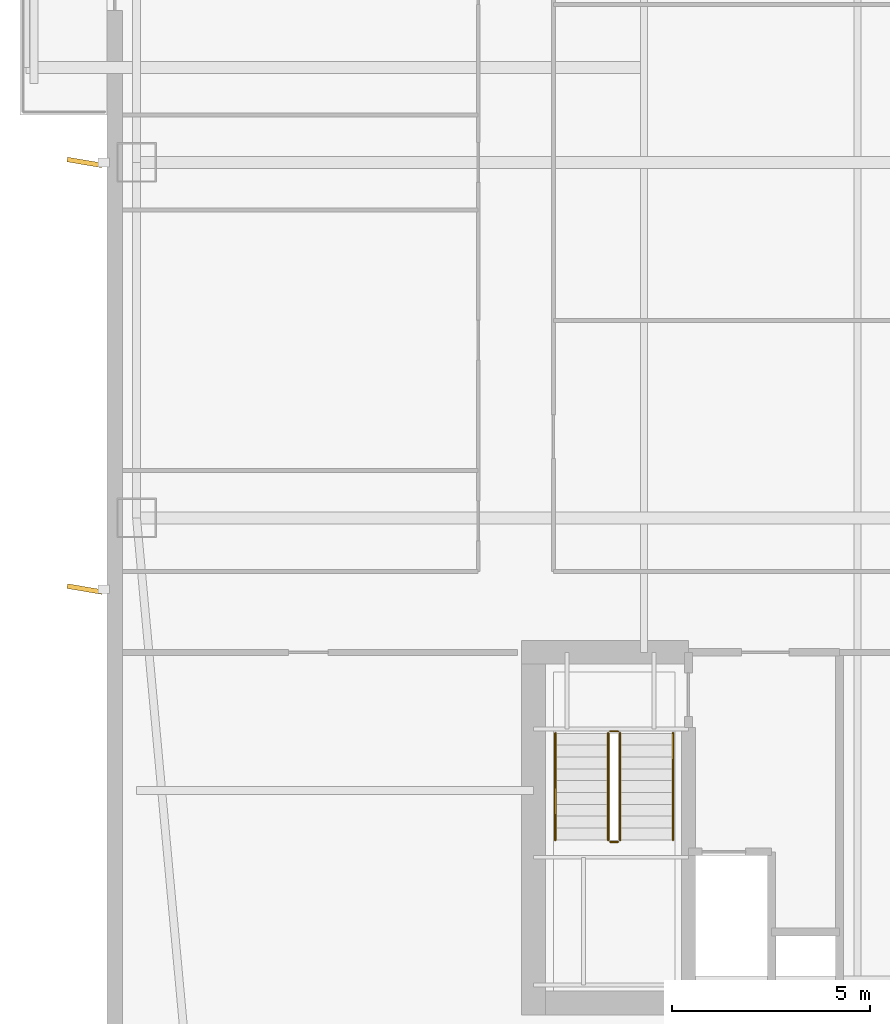
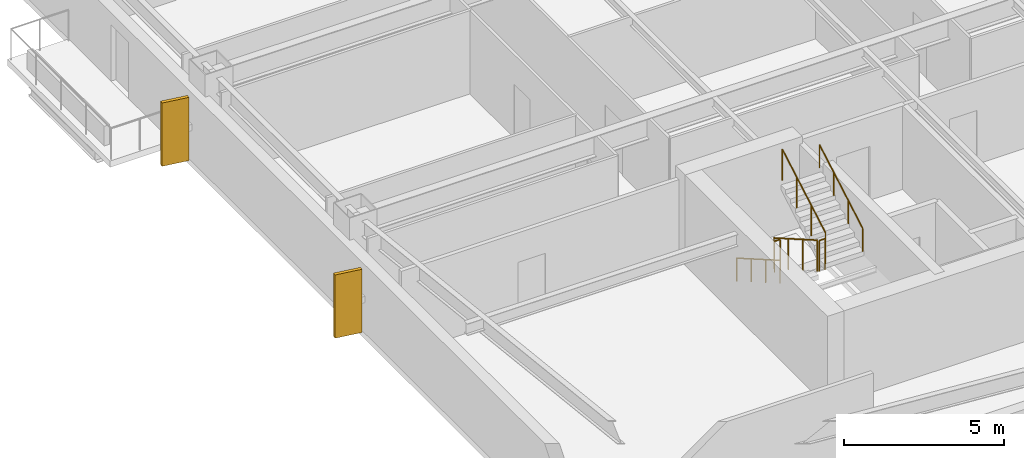
# One storey, part 13 of 17: 6 railings, 2 shading devices.
"""IFC4 building model written with IfcOpenShell, lengths in metres."""

from ifc_helpers import new_model, si_unit, direction, frame, origin, origin_2d, place, context, subcontext, project, spatial, rectangle, circle, extrude, material, layer, layer_set, type_object, element, save


model = new_model("IFC4")

# Units and contexts
model_context = context("Model", 3, precision=1e-05, world=origin(), true_north=direction((0.0, 1.0)))
body_context = subcontext(model_context, "Body", "Model", "MODEL_VIEW")
ifc_project = project(units=[si_unit("LENGTHUNIT", "METRE"), si_unit("AREAUNIT", "SQUARE_METRE"), si_unit("VOLUMEUNIT", "CUBIC_METRE"), si_unit("PLANEANGLEUNIT", "RADIAN"), si_unit("MASSUNIT", "GRAM", prefix="KILO")], contexts=[model_context])

# Site, building, storey
site_placement = place(None, origin())
site = spatial("IfcSite", under=ifc_project, at=site_placement, CompositionType="ELEMENT")
building_placement = place(site_placement, origin())
building = spatial("IfcBuilding", under=site, at=building_placement, Name="Qiaolan Cultural Towers", CompositionType="ELEMENT")
storey_placement = place(building_placement, frame((0.0, 0.0, 142.60009765625)))
storey = spatial("IfcBuildingStorey", under=building, at=storey_placement, Name="L37", CompositionType="ELEMENT", Elevation=142.60009765625)

# Railings
ifc_material_1 = material(Name="Galvanized Painted Steel Stair Guardrail", Category="steel")
railing_type_1 = type_object("IfcRailingType", Name="RL-STAIR-GRD", PredefinedType="GUARDRAIL", material=ifc_material_1)
railing_1_placement = place(storey_placement, frame((23.68994140625, 19.550048828125, 0.17236328125)))
element("IfcRailing", 1, at=railing_1_placement, inside=storey, type_object=railing_type_1, Name="L37 ST-W1 stair guard 1", PredefinedType="GUARDRAIL", context=body_context, shape_type="SweptSolid", body=[
    extrude(circle(Radius=0.02392578125, at=origin_2d()), frame((0.0, 0.0, 1.17578125), z_axis=(0.0, -0.866903762492, 0.498475542607), x_axis=(1.0, 0.0, 0.0)), (0.0, 0.0, 1.0), 3.114501953125),
    extrude(circle(Radius=0.02099609375, at=origin_2d()), origin(), (0.0, 0.0, 1.0), 1.15185546875),
    extrude(circle(Radius=0.02099609375, at=origin_2d()), frame((0.0, -0.89990234375, 0.517578125)), (0.0, 0.0, 1.0), 1.15185546875),
    extrude(circle(Radius=0.02099609375, at=origin_2d()), frame((0.0, -1.800048828125, 1.034912109375)), (0.0, 0.0, 1.0), 1.15185546875),
    extrude(circle(Radius=0.02099609375, at=origin_2d()), frame((0.0, -2.699951171875, 1.552490234375)), (0.0, 0.0, 1.0), 1.15185546875),
])
railing_2_placement = place(storey_placement, frame((23.739990234375, 16.800048828125, 1.724853515625)))
element("IfcRailing", 2, at=railing_2_placement, inside=storey, type_object=railing_type_1, Name="L37 ST-W1 stair guard 2", PredefinedType="GUARDRAIL", context=body_context, shape_type="SweptSolid", body=[
    extrude(circle(Radius=0.02392578125, at=origin_2d()), frame((0.0, 0.0, 1.17578125), z_axis=(1.0, 0.0, 0.0), x_axis=(0.0, 1.0, 0.0)), (0.0, 0.0, 1.0), 0.199951171875),
    extrude(circle(Radius=0.02099609375, at=origin_2d()), origin(), (0.0, 0.0, 1.0), 1.15185546875),
    extrude(circle(Radius=0.02099609375, at=origin_2d()), frame((0.199951171875, 0.0, 0.0)), (0.0, 0.0, 1.0), 1.15185546875),
])
railing_3_placement = place(storey_placement, frame((23.989990234375, 16.85009765625, 1.8974609375)))
element("IfcRailing", 3, at=railing_3_placement, inside=storey, type_object=railing_type_1, Name="L37 ST-W1 stair guard 3", PredefinedType="GUARDRAIL", context=body_context, shape_type="SweptSolid", body=[
    extrude(circle(Radius=0.02392578125, at=origin_2d()), frame((0.0, 0.0, 1.17578125), z_axis=(0.0, 0.866903762492, 0.498475542607), x_axis=(-1.0, 0.0, 0.0)), (0.0, 0.0, 1.0), 3.114501953125),
    extrude(circle(Radius=0.02099609375, at=origin_2d()), origin(), (0.0, 0.0, 1.0), 1.15185546875),
    extrude(circle(Radius=0.02099609375, at=origin_2d()), frame((0.0, 0.89990234375, 0.517578125)), (0.0, 0.0, 1.0), 1.15185546875),
    extrude(circle(Radius=0.02099609375, at=origin_2d()), frame((0.0, 1.800048828125, 1.034912109375)), (0.0, 0.0, 1.0), 1.15185546875),
    extrude(circle(Radius=0.02099609375, at=origin_2d()), frame((0.0, 2.699951171875, 1.552490234375)), (0.0, 0.0, 1.0), 1.15185546875),
])
railing_4_placement = place(storey_placement, frame((23.739990234375, 19.60009765625, 0.0)))
element("IfcRailing", 4, at=railing_4_placement, inside=storey, type_object=railing_type_1, Name="L37 ST-W1 stair guard 4", PredefinedType="GUARDRAIL", context=body_context, shape_type="SweptSolid", body=[
    extrude(circle(Radius=0.02392578125, at=origin_2d()), frame((0.0, 0.0, 1.17578125), z_axis=(1.0, 0.0, 0.0), x_axis=(0.0, 1.0, 0.0)), (0.0, 0.0, 1.0), 0.199951171875),
    extrude(circle(Radius=0.02099609375, at=origin_2d()), origin(), (0.0, 0.0, 1.0), 1.15185546875),
    extrude(circle(Radius=0.02099609375, at=origin_2d()), frame((0.199951171875, 0.0, 0.0)), (0.0, 0.0, 1.0), 1.15185546875),
])
ifc_material_2 = material(Name="Stainless Steel S30408 Tubular Handrail", Category="steel")
railing_type_2 = type_object("IfcRailingType", Name="RL-STAIR-HR", PredefinedType="HANDRAIL", material=ifc_material_2)
railing_5_placement = place(storey_placement, frame((22.35009765625, 19.550048828125, 0.17236328125)))
element("IfcRailing", 5, at=railing_5_placement, inside=storey, type_object=railing_type_2, Name="L37 ST-W1 stair handrail 1", PredefinedType="HANDRAIL", context=body_context, shape_type="SweptSolid", body=[
    extrude(circle(Radius=0.02392578125, at=origin_2d()), frame((0.0, 0.0, 0.8759765625), z_axis=(0.0, -0.866903762492, 0.498475542607), x_axis=(1.0, 0.0, 0.0)), (0.0, 0.0, 1.0), 3.114501953125),
    extrude(circle(Radius=0.02099609375, at=origin_2d()), origin(), (0.0, 0.0, 1.0), 0.851806640625),
    extrude(circle(Radius=0.02099609375, at=origin_2d()), frame((0.0, -0.89990234375, 0.517578125)), (0.0, 0.0, 1.0), 0.851806640625),
    extrude(circle(Radius=0.02099609375, at=origin_2d()), frame((0.0, -1.800048828125, 1.034912109375)), (0.0, 0.0, 1.0), 0.851806640625),
    extrude(circle(Radius=0.02099609375, at=origin_2d()), frame((0.0, -2.699951171875, 1.552490234375)), (0.0, 0.0, 1.0), 0.851806640625),
])
railing_6_placement = place(storey_placement, frame((25.330078125, 16.85009765625, 1.8974609375)))
element("IfcRailing", 6, at=railing_6_placement, inside=storey, type_object=railing_type_2, Name="L37 ST-W1 stair handrail 2", PredefinedType="HANDRAIL", context=body_context, shape_type="SweptSolid", body=[
    extrude(circle(Radius=0.02392578125, at=origin_2d()), frame((0.0, 0.0, 0.8759765625), z_axis=(0.0, 0.866903762492, 0.498475542607), x_axis=(-1.0, 0.0, 0.0)), (0.0, 0.0, 1.0), 3.114501953125),
    extrude(circle(Radius=0.02099609375, at=origin_2d()), origin(), (0.0, 0.0, 1.0), 0.851806640625),
    extrude(circle(Radius=0.02099609375, at=origin_2d()), frame((0.0, 0.89990234375, 0.517578125)), (0.0, 0.0, 1.0), 0.851806640625),
    extrude(circle(Radius=0.02099609375, at=origin_2d()), frame((0.0, 1.800048828125, 1.034912109375)), (0.0, 0.0, 1.0), 0.851806640625),
    extrude(circle(Radius=0.02099609375, at=origin_2d()), frame((0.0, 2.699951171875, 1.552490234375)), (0.0, 0.0, 1.0), 0.851806640625),
])

# Shading devices
ifc_material_3 = material(Name="Pierced Warm Terracotta Acoustic Fin", Category="masonry")
ifc_layer = layer(ifc_material_3, 0.1201171875)
ifc_layer_set = layer_set([ifc_layer], Name="Pierced Warm Terracotta Acoustic Fin")
shading_device_type = type_object("IfcShadingDeviceType", Name="SHD-FIN-PIERCED", PredefinedType="USERDEFINED", material=ifc_layer_set)
for number, where, z_axis, x_axis, name in (
    (7, (10.43994140625, 23.199951171875, 0.10009765625), (0.0, 0.0, 1.0), (0.98587406802, -0.167488274236, 0.0), "L37 T1 Expressive Precast Vertical Fin W1"),
    (8, (10.43994140625, 34.0, 0.10009765625), (0.0, 0.0, 1.0), (0.98587406802, -0.167488274236, 0.0), "L37 T1 Expressive Precast Vertical Fin W2"),
):
    element("IfcShadingDevice", number, at=place(storey_placement, frame(where, z_axis=z_axis, x_axis=x_axis)), inside=storey, type_object=shading_device_type, Name=name, ObjectType="FIN", PredefinedType="USERDEFINED", context=body_context, shape_type="SweptSolid", body=[
        extrude(rectangle(XDim=0.89990234375, YDim=0.1201171875, at=origin_2d()), origin(), (0.0, 0.0, 1.0), 2.409912109375),
    ])

save(model, "model.ifc")
